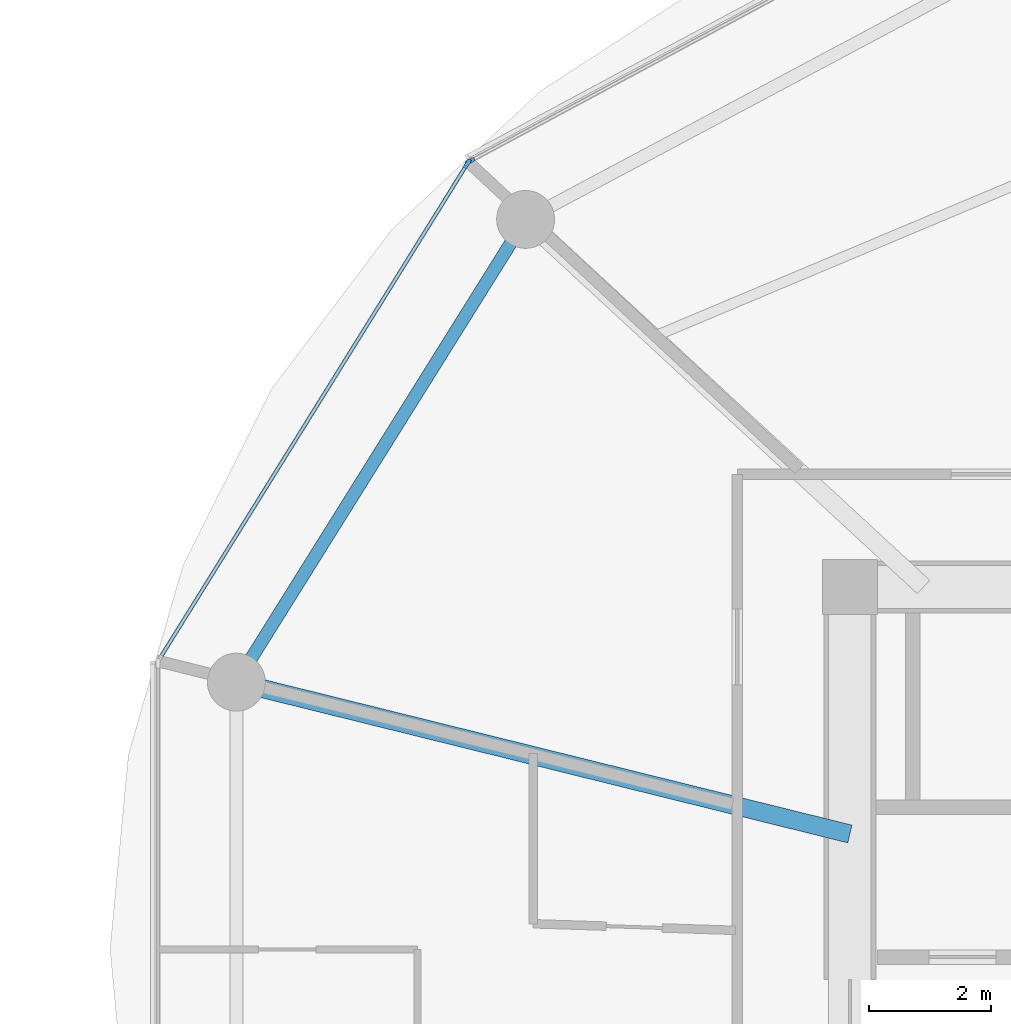
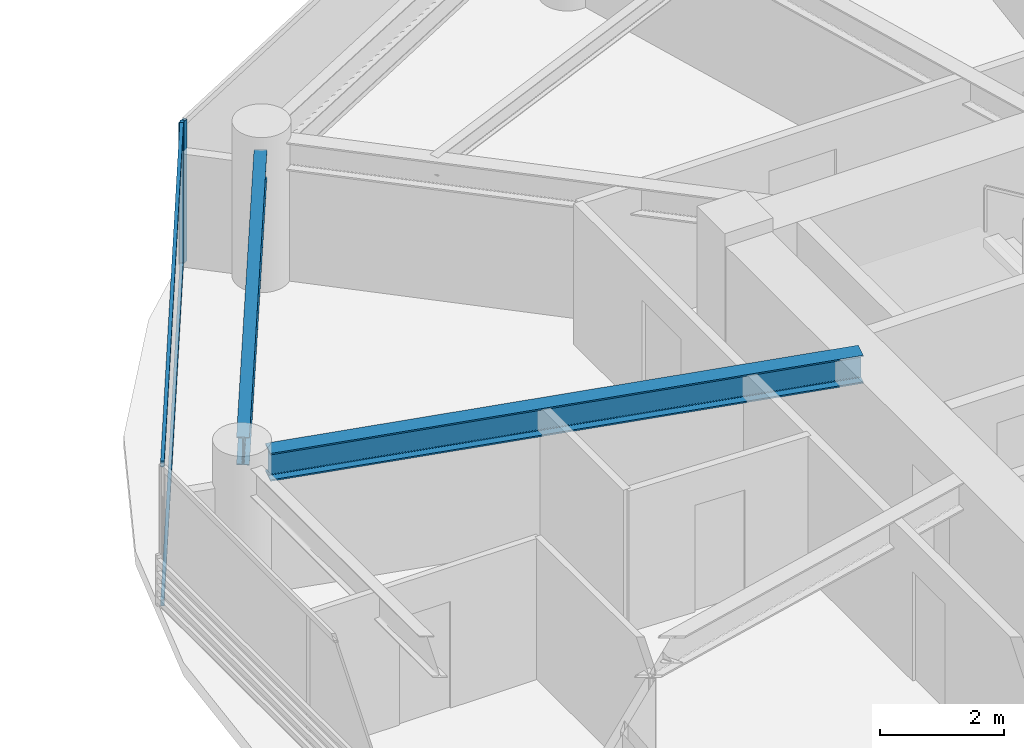
# One storey, part 8 of 27: 4 members, 2 beams, 2 elements without a shape of their own.
"""IFC4 building model written with IfcOpenShell, lengths in metres."""

import ifcopenshell
import ifcopenshell.guid

model = None  # the IFC model being written
_history = None  # IfcOwnerHistory: only IFC2X3 demands one
_inside = {}  # id of a spatial element -> (the spatial element, [elements in it])
_under = {}  # id of a project, library or spatial element -> (it, [spatial elements below it])
_declared = {}  # id of a project -> (the project, [libraries it declares])
_typed = {}  # id of a type object -> (the type object, [elements of that type])
_made_of = {}  # id of a material, layer set ... -> (it, [elements and type objects made of it])


def new_model(schema):
    """Start an empty IFC model of exactly this schema.

    Asked for "IFC4X3", IfcOpenShell would pick the latest addendum, in which some entities
    have other attributes; the version numbers below select the first issue.
    IFC2X3 requires an IfcOwnerHistory on every rooted entity: one is made here for all.
    """
    global model, _history
    if schema == "IFC4X3":
        model = ifcopenshell.file(schema_version=(4, 3, 0, 0))
    else:
        model = ifcopenshell.file(schema=schema)
    _inside.clear()
    _under.clear()
    _declared.clear()
    _typed.clear()
    _made_of.clear()
    _history = None
    if model.schema == "IFC2X3":
        org = make("IfcOrganization", Name="unknown")
        user = make(
            "IfcPersonAndOrganization",
            ThePerson=make("IfcPerson", FamilyName="unknown"),
            TheOrganization=org,
        )
        app = make(
            "IfcApplication",
            ApplicationDeveloper=org,
            Version="unknown",
            ApplicationFullName="unknown",
            ApplicationIdentifier="unknown",
        )
        _history = make(
            "IfcOwnerHistory",
            OwningUser=user,
            OwningApplication=app,
            ChangeAction="ADDED",
            CreationDate=0,
        )
    return model


def make(cls, **values):
    """One entity of the class cls with the attributes given. An attribute that is None is left unset."""
    return model.create_entity(
        cls, **{name: value for name, value in values.items() if value is not None}
    )


def rooted(cls, **values):
    """An entity with a GlobalId (a new one), such as an element, a storey or a relation."""
    return make(cls, GlobalId=ifcopenshell.guid.new(), OwnerHistory=_history, **values)


def si_unit(unit_type, name, prefix=None):
    """IfcSIUnit, for example si_unit("LENGTHUNIT", "METRE", prefix="MILLI")."""
    return make("IfcSIUnit", UnitType=unit_type, Prefix=prefix, Name=name)


def assignment(units):
    """IfcUnitAssignment: the units of a project."""
    return None if units is None else make("IfcUnitAssignment", Units=units)


def point(xyz):
    """IfcCartesianPoint."""
    return None if xyz is None else make("IfcCartesianPoint", Coordinates=xyz)


def direction(xyz):
    """IfcDirection."""
    return None if xyz is None else make("IfcDirection", DirectionRatios=xyz)


def frame(location, z_axis=None, x_axis=None):
    """IfcAxis2Placement3D, a coordinate frame: its origin and axes. An axis left out is left unset."""
    return make(
        "IfcAxis2Placement3D",
        Location=point(location),
        Axis=direction(z_axis),
        RefDirection=direction(x_axis),
    )


def frame_2d(location, x_axis=None):
    """IfcAxis2Placement2D, a coordinate frame in the plane: its origin and x axis."""
    return make(
        "IfcAxis2Placement2D", Location=point(location), RefDirection=direction(x_axis)
    )


def origin():
    """The frame at (0, 0, 0) with its axes left unset."""
    return frame((0.0, 0.0, 0.0))


def origin_2d():
    """The frame at (0, 0) in the plane with its x axis left unset."""
    return frame_2d((0.0, 0.0))


def place(relative_to, where):
    """IfcLocalPlacement: puts the frame where relative to a parent placement (None: the world)."""
    return make(
        "IfcLocalPlacement", PlacementRelTo=relative_to, RelativePlacement=where
    )


def context(
    kind, dimensions, precision=None, world=None, true_north=None, identifier=None
):
    """IfcGeometricRepresentationContext, for example the 3D "Model" context."""
    return make(
        "IfcGeometricRepresentationContext",
        ContextIdentifier=identifier,
        ContextType=kind,
        CoordinateSpaceDimension=dimensions,
        Precision=precision,
        WorldCoordinateSystem=world,
        TrueNorth=true_north,
    )


def subcontext(parent, identifier, kind, view, scale=None):
    """IfcGeometricRepresentationSubContext, for example "Body" below "Model"."""
    return make(
        "IfcGeometricRepresentationSubContext",
        ContextIdentifier=identifier,
        ContextType=kind,
        ParentContext=parent,
        TargetScale=scale,
        TargetView=view,
    )


def project(units=None, contexts=None):
    """IfcProject with its units and contexts."""
    return rooted(
        "IfcProject",
        Name="project",
        RepresentationContexts=contexts,
        UnitsInContext=assignment(units),
    )


def spatial(cls, under=None, at=None, **own):
    """A site, building, storey or space (cls), placed at a placement, below another one or the project."""
    s = rooted(cls, ObjectPlacement=at, **own)
    if under is not None:
        _under.setdefault(under.id(), (under, []))[1].append(s)
    return s


def profile(cls, at=None, kind="AREA", **sizes):
    """A parametric profile (cls). Its sizes go by their IFC names, for example OverallWidth=200.0."""
    return make(cls, ProfileType=kind, Position=at, **sizes)


def rectangle(**sizes):
    """IfcRectangleProfileDef."""
    return profile("IfcRectangleProfileDef", **sizes)


def i_section(**sizes):
    """IfcIShapeProfileDef."""
    return profile("IfcIShapeProfileDef", **sizes)


def extrude(swept, where, along, depth):
    """IfcExtrudedAreaSolid: the profile swept, set in the frame where, extruded along a direction by depth."""
    return make(
        "IfcExtrudedAreaSolid",
        SweptArea=swept,
        Position=where,
        ExtrudedDirection=direction(along),
        Depth=depth,
    )


def shape(context_of_items, identifier, shape_type, items):
    """IfcShapeRepresentation: the items that make up one representation, for example the "Body"."""
    return make(
        "IfcShapeRepresentation",
        ContextOfItems=context_of_items,
        RepresentationIdentifier=identifier,
        RepresentationType=shape_type,
        Items=items,
    )


def source(mapping_origin, context_of_items, identifier, shape_type, items):
    """IfcRepresentationMap: a shape defined once, which mapped items show again and again."""
    return make(
        "IfcRepresentationMap",
        MappingOrigin=mapping_origin,
        MappedRepresentation=shape(context_of_items, identifier, shape_type, items),
    )


def transform(
    local_origin,
    x_axis=None,
    y_axis=None,
    z_axis=None,
    scale=None,
    scale2=None,
    scale3=None,
    uniform=True,
):
    """IfcCartesianTransformationOperator3D, or its non-uniform kind. x_axis, y_axis, z_axis: its Axis1, 2, 3."""
    if uniform:
        return make(
            "IfcCartesianTransformationOperator3D",
            Axis1=direction(x_axis),
            Axis2=direction(y_axis),
            LocalOrigin=point(local_origin),
            Scale=scale,
            Axis3=direction(z_axis),
        )
    return make(
        "IfcCartesianTransformationOperator3DnonUniform",
        Axis1=direction(x_axis),
        Axis2=direction(y_axis),
        LocalOrigin=point(local_origin),
        Scale=scale,
        Axis3=direction(z_axis),
        Scale2=scale2,
        Scale3=scale3,
    )


def mapped(mapping_source, mapping_target):
    """IfcMappedItem: shows the shape of a source again, moved by a transform."""
    return make(
        "IfcMappedItem", MappingSource=mapping_source, MappingTarget=mapping_target
    )


def material(Name=None, Category=None):
    """IfcMaterial."""
    return make("IfcMaterial", Name=Name, Category=Category)


def layer(
    of_material, thickness, ventilated=None, Name=None, Category=None, Priority=None
):
    """IfcMaterialLayer: one layer of a wall or slab, of a material (None: an air gap)."""
    return make(
        "IfcMaterialLayer",
        Material=of_material,
        LayerThickness=thickness,
        IsVentilated=ventilated,
        Name=Name,
        Category=Category,
        Priority=Priority,
    )


def layer_set(layers, Name=None):
    """IfcMaterialLayerSet."""
    return make("IfcMaterialLayerSet", MaterialLayers=layers, LayerSetName=Name)


def material_profile(
    of_material, cross_section, Name=None, Category=None, Priority=None
):
    """IfcMaterialProfile: a cross section and its material."""
    return make(
        "IfcMaterialProfile",
        Name=Name,
        Material=of_material,
        Profile=cross_section,
        Priority=Priority,
        Category=Category,
    )


def profile_set(profiles, Name=None, composite=None):
    """IfcMaterialProfileSet."""
    return make(
        "IfcMaterialProfileSet",
        Name=Name,
        MaterialProfiles=profiles,
        CompositeProfile=composite,
    )


def made_of(thing, what):
    """Note that an element or type object is made of a material, layer set ...; save() writes the relation."""
    if what is not None:
        _made_of.setdefault(what.id(), (what, []))[1].append(thing)
    return thing


def type_object(cls, material=None, **own):
    """A type object (cls), such as IfcWallType, which elements share."""
    return made_of(rooted(cls, **own), material)


def type_shapes(of_type, sources):
    """Give a type object the sources (RepresentationMaps) that its elements show as mapped items."""
    of_type.RepresentationMaps = sources


def element(
    cls,
    number,
    at=None,
    inside=None,
    cuts=None,
    type_object=None,
    material=None,
    context=None,
    identifier="Body",
    shape_type=None,
    held_by="IfcProductDefinitionShape",
    body=None,
    shapes=None,
    **own,
):
    """One element of the class cls, such as IfcWall. Its Tag is "e" and its number.

    at: its placement. inside: the storey or other place that contains it. cuts: it is an
    opening in that element (IfcRelVoidsElement). A single representation is given by context,
    identifier, shape_type and body (its items); several are given by shapes. held_by: the class
    of the entity that holds the representations. save() writes the other relations.
    """
    e = rooted(cls, Tag="e%d" % number, ObjectPlacement=at, **own)
    if body is not None:
        shapes = [shape(context, identifier, shape_type, body)]
    if shapes is not None:
        e.Representation = make(held_by, Representations=shapes)
    if inside is not None:
        _inside.setdefault(inside.id(), (inside, []))[1].append(e)
    if cuts is not None:
        rooted(
            "IfcRelVoidsElement", RelatingBuildingElement=cuts, RelatedOpeningElement=e
        )
    if type_object is not None:
        _typed.setdefault(type_object.id(), (type_object, []))[1].append(e)
    return made_of(e, material)


def aggregate(whole, parts):
    """IfcRelAggregates: a whole, such as a stair, and the parts it consists of."""
    return rooted("IfcRelAggregates", RelatingObject=whole, RelatedObjects=parts)


def save(model, path):
    """Write the relations noted so far, then the file.

    IfcRelAggregates (storeys below a building ...), IfcRelContainedInSpatialStructure (elements
    in a storey), IfcRelDefinesByType, IfcRelAssociatesMaterial and IfcRelDeclares: one each for
    every whole, place, type object, material and project.
    """
    for whole, parts in _under.values():
        aggregate(whole, parts)
    for where, things in _inside.values():
        rooted(
            "IfcRelContainedInSpatialStructure",
            RelatedElements=things,
            RelatingStructure=where,
        )
    for kind, things in _typed.values():
        rooted("IfcRelDefinesByType", RelatedObjects=things, RelatingType=kind)
    for what, things in _made_of.values():
        rooted("IfcRelAssociatesMaterial", RelatedObjects=things, RelatingMaterial=what)
    for by, libraries in _declared.values():
        rooted("IfcRelDeclares", RelatingContext=by, RelatedDefinitions=libraries)
    model.write(path)


model = new_model("IFC4")

# Units and contexts
model_context = context("Model", 3, precision=1e-05, world=origin(), true_north=direction((0.0, 1.0)))
body_context = subcontext(model_context, "Body", "Model", "MODEL_VIEW")
ifc_project = project(units=[si_unit("LENGTHUNIT", "METRE"), si_unit("AREAUNIT", "SQUARE_METRE"), si_unit("VOLUMEUNIT", "CUBIC_METRE"), si_unit("PLANEANGLEUNIT", "RADIAN"), si_unit("MASSUNIT", "GRAM", prefix="KILO")], contexts=[model_context])

# Site, building, storey
site_placement = place(None, origin())
site = spatial("IfcSite", under=ifc_project, at=site_placement, CompositionType="ELEMENT")
building_placement = place(site_placement, origin())
building = spatial("IfcBuilding", under=site, at=building_placement, Name="Norrkilde Senior Care Towers", CompositionType="ELEMENT")
storey_placement = place(building_placement, frame((0.0, 0.0, 33.800048828125)))
storey = spatial("IfcBuildingStorey", under=building, at=storey_placement, Name="L09", CompositionType="ELEMENT", Elevation=33.800048828125)

# Beams
ifc_material_1 = material(Name="Steel S355", Category="steel")
ifc_material_profile_1 = material_profile(ifc_material_1, i_section(OverallWidth=0.2099609375, OverallDepth=0.550048828125, WebThickness=0.010986328125, FlangeThickness=0.01708984375, FilletRadius=0.02392578125, at=origin_2d()), Name="IPE 550")
ifc_profile_set_1 = profile_set([ifc_material_profile_1], Name="Steel S355")
beam_type_1 = type_object("IfcBeamType", Name="Perimeter Ring Spandrel Z1 IPE550", PredefinedType="SPANDREL", material=ifc_profile_set_1)
shared_shape_1 = source(origin(), body_context, "Body", "SweptSolid", [
    extrude(i_section(OverallWidth=0.2099609375, OverallDepth=0.550048828125, WebThickness=0.010986328125, FlangeThickness=0.01708984375, FilletRadius=0.02392578125, at=origin_2d()), origin(), (0.0, 0.0, 1.0), 8.090576171875),
])
type_shapes(beam_type_1, [shared_shape_1])
beam_1_placement = place(storey_placement, frame((14.7939453125, 11.61669921875, 2.514892578125), z_axis=(-0.530004364821, -0.84799491347, 0.0), x_axis=(0.84799491347, -0.530004364821, 0.0)))
element("IfcBeam", 1, at=beam_1_placement, inside=storey, type_object=beam_type_1, Name="L09 Drum E Perimeter Spandrel 05", PredefinedType="SPANDREL", context=body_context, shape_type="MappedRepresentation", body=[
    mapped(shared_shape_1, transform((0.0, 0.0, 0.0), x_axis=(1.0, 0.0, 0.0), y_axis=(0.0, 1.0, 0.0), z_axis=(0.0, 0.0, 1.0), scale=1.0)),
])
ifc_material_profile_2 = material_profile(ifc_material_1, i_section(OverallWidth=0.300048828125, OverallDepth=0.550048828125, WebThickness=0.014892578125, FlangeThickness=0.029052734375, FilletRadius=0.027099609375, at=origin_2d()), Name="HEB 550")
ifc_profile_set_2 = profile_set([ifc_material_profile_2], Name="Steel S355")
beam_type_2 = type_object("IfcBeamType", Name="Radial Floor Beam Z1 HEB550", PredefinedType="BEAM", material=ifc_profile_set_2)
shared_shape_2 = source(origin(), body_context, "Body", "SweptSolid", [
    extrude(i_section(OverallWidth=0.300048828125, OverallDepth=0.550048828125, WebThickness=0.014892578125, FlangeThickness=0.029052734375, FilletRadius=0.027099609375, at=origin_2d()), origin(), (0.0, 0.0, 1.0), 9.94384765625),
])
type_shapes(beam_type_2, [shared_shape_2])
beam_2_placement = place(storey_placement, frame((20.35009765625, 1.893310546875, 2.514892578125), z_axis=(-0.970707425182, 0.240264634718, 0.0), x_axis=(-0.240264634718, -0.970707425182, 0.0)))
element("IfcBeam", 2, at=beam_2_placement, inside=storey, type_object=beam_type_2, Name="L09 Drum E Radial Floor Beam 06", PredefinedType="BEAM", context=body_context, shape_type="MappedRepresentation", body=[
    mapped(shared_shape_2, transform((0.0, 0.0, 0.0), x_axis=(1.0, 0.0, 0.0), y_axis=(0.0, 1.0, 0.0), z_axis=(0.0, 0.0, 1.0), scale=1.0)),
])

# Curtain wall, member
ifc_material_2 = material(Name="Triple Low-E Insulated Glazing", Category="glass")
ifc_layer = layer(ifc_material_2, 0.199951171875)
ifc_layer_set = layer_set([ifc_layer], Name="Triple Low-E Insulated Glazing")
curtain_wall_type = type_object("IfcCurtainWallType", Name="CW2 Zone 1 Memory Care Curtain Wall", PredefinedType="NOTDEFINED", material=ifc_layer_set)
curtain_wall_1_placement = place(storey_placement, origin())
curtain_wall_1 = element("IfcCurtainWall", 3, at=curtain_wall_1_placement, inside=storey, type_object=curtain_wall_type, Name="L09 Drum E Curtain Wall 03", PredefinedType="NOTDEFINED")
ifc_material_3 = material(Name="Anodised Aluminium", Category="aluminium")
ifc_material_profile_3 = material_profile(ifc_material_3, rectangle(XDim=0.06494140625, YDim=0.159912109375, at=origin_2d()), Name="ALU MULL 65x160")
ifc_profile_set_3 = profile_set([ifc_material_profile_3], Name="Anodised Aluminium")
member_type_1 = type_object("IfcMemberType", Name="Curtain Wall Mullion Z1-Z2 65x160", PredefinedType="MULLION", material=ifc_profile_set_3)
shared_shape_3 = source(origin(), body_context, "Body", "SweptSolid", [
    extrude(rectangle(XDim=0.06494140625, YDim=0.159912109375, at=origin_2d()), origin(), (0.0, 0.0, 1.0), 2.7900390625),
])
type_shapes(member_type_1, [shared_shape_3])
member_1_placement = place(storey_placement, frame((14.11279296875, 12.941162109375, 0.0), z_axis=(0.0, 0.0, 1.0), x_axis=(-0.472607802456, 0.881272866403, 0.0)))
member_1 = element("IfcMember", 4, at=member_1_placement, type_object=member_type_1, Name="CW-2 mullion 1", PredefinedType="MULLION", context=body_context, shape_type="MappedRepresentation", body=[
    mapped(shared_shape_3, transform((0.0, 0.0, 0.0), x_axis=(1.0, 0.0, 0.0), y_axis=(0.0, 1.0, 0.0), z_axis=(0.0, 0.0, 1.0), scale=1.0)),
])
aggregate(curtain_wall_1, [member_1])

# Curtain wall, members
curtain_wall_2_placement = place(storey_placement, origin())
curtain_wall_2 = element("IfcCurtainWall", 5, at=curtain_wall_2_placement, inside=storey, type_object=curtain_wall_type, Name="L09 Drum E Curtain Wall 04", PredefinedType="NOTDEFINED")
member_2_placement = place(storey_placement, frame((14.06689453125, 12.898193359375, 0.0), z_axis=(0.0, 0.0, 1.0), x_axis=(-0.849305943117, 0.527900951871, 0.0)))
member_2 = element("IfcMember", 6, at=member_2_placement, type_object=member_type_1, Name="CW-2 mullion 2", PredefinedType="MULLION", context=body_context, shape_type="MappedRepresentation", body=[
    mapped(shared_shape_3, transform((0.0, 0.0, 0.0), x_axis=(1.0, 0.0, 0.0), y_axis=(0.0, 1.0, 0.0), z_axis=(0.0, 0.0, 1.0), scale=1.0)),
])
ifc_material_profile_4 = material_profile(ifc_material_3, rectangle(XDim=0.06005859375, YDim=0.1201171875, at=origin_2d()), Name="ALU TRAN 60x120")
ifc_profile_set_4 = profile_set([ifc_material_profile_4], Name="Anodised Aluminium")
member_type_2 = type_object("IfcMemberType", Name="Curtain Wall Transom Typical 60x120", PredefinedType="USERDEFINED", material=ifc_profile_set_4)
shared_shape_4 = source(origin(), body_context, "Body", "SweptSolid", [
    extrude(rectangle(XDim=0.06005859375, YDim=0.1201171875, at=origin_2d()), origin(), (0.0, 0.0, 1.0), 9.5185546875),
])
type_shapes(member_type_2, [shared_shape_4])
member_3_placement = place(storey_placement, frame((9.02490234375, 4.786376953125, 0.030029296875), z_axis=(0.527901620669, 0.849305527413, 0.0), x_axis=(-0.849305527413, 0.527901620669, 0.0)))
member_3 = element("IfcMember", 7, at=member_3_placement, type_object=member_type_2, Name="CW-2 transom 1.1", ObjectType="TRANSOM", PredefinedType="USERDEFINED", context=body_context, shape_type="MappedRepresentation", body=[
    mapped(shared_shape_4, transform((0.0, 0.0, 0.0), x_axis=(1.0, 0.0, 0.0), y_axis=(0.0, 1.0, 0.0), z_axis=(0.0, 0.0, 1.0), scale=1.0)),
])
member_4_placement = place(storey_placement, frame((9.02490234375, 4.786376953125, 2.760009765625), z_axis=(0.527901620669, 0.849305527413, 0.0), x_axis=(-0.849305527413, 0.527901620669, 0.0)))
member_4 = element("IfcMember", 8, at=member_4_placement, type_object=member_type_2, Name="CW-2 transom 1.2", ObjectType="TRANSOM", PredefinedType="USERDEFINED", context=body_context, shape_type="MappedRepresentation", body=[
    mapped(shared_shape_4, transform((0.0, 0.0, 0.0), x_axis=(1.0, 0.0, 0.0), y_axis=(0.0, 1.0, 0.0), z_axis=(0.0, 0.0, 1.0), scale=1.0)),
])
aggregate(curtain_wall_2, [member_2, member_3, member_4])

save(model, "model.ifc")
